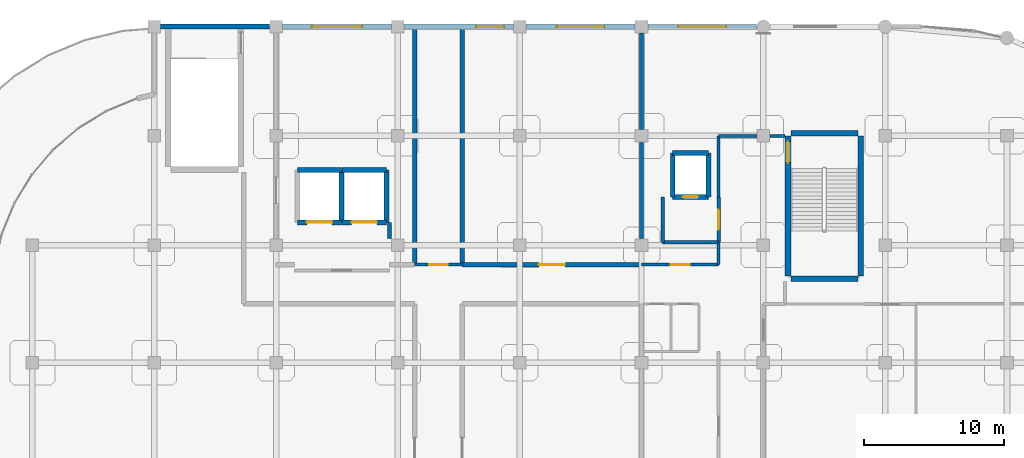
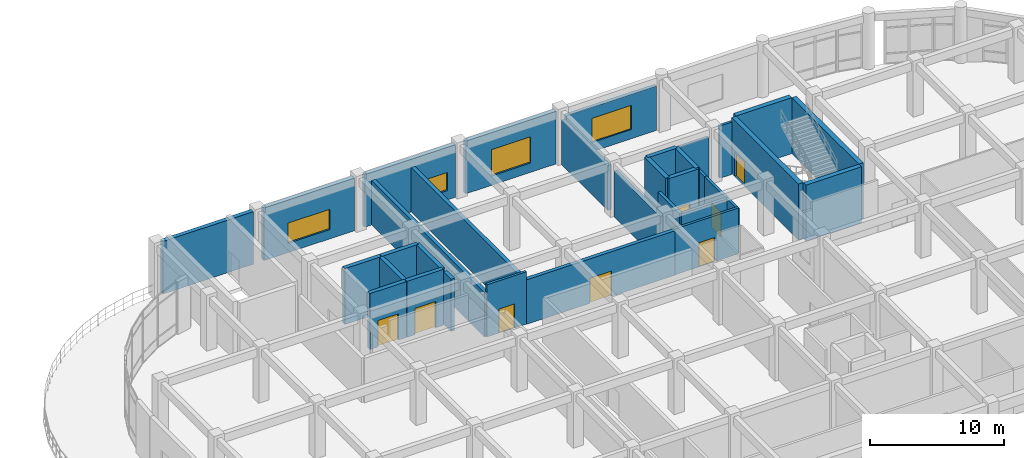
# One storey, part 105 of 120: 34 walls, 8 doors, 4 windows, 12 openings.
"""IFC4 building model written with IfcOpenShell, lengths in metres."""

from ifc_helpers import new_model, si_unit, derived_unit, direction, frame, frame_2d, origin, place, context, subcontext, project, spatial, rectangle, extrude, material, layer, layer_set, type_object, element, fill, save


model = new_model("IFC4")

# Units and contexts
model_context = context("Model", 3, precision=1e-05, world=origin(), true_north=direction((0.0, 1.0)))
body_context = subcontext(model_context, "Body", "Model", "MODEL_VIEW")
ifc_project = project(units=[si_unit("LENGTHUNIT", "METRE"), si_unit("AREAUNIT", "SQUARE_METRE"), si_unit("VOLUMEUNIT", "CUBIC_METRE"), si_unit("PLANEANGLEUNIT", "RADIAN"), si_unit("MASSUNIT", "GRAM", prefix="KILO"), derived_unit("THERMALTRANSMITTANCEUNIT", [(si_unit("MASSUNIT", "GRAM", prefix="KILO"), 1), (si_unit("TIMEUNIT", "SECOND"), -3), (si_unit("THERMODYNAMICTEMPERATUREUNIT", "KELVIN"), -1)])], contexts=[model_context])

# Site, building, storey
site_placement = place(None, origin())
site = spatial("IfcSite", under=ifc_project, at=site_placement, CompositionType="ELEMENT")
building_placement = place(site_placement, origin())
building = spatial("IfcBuilding", under=site, at=building_placement, Name="Qinzheling Arcade Emporium", CompositionType="ELEMENT")
storey_placement = place(building_placement, frame((0.0, 0.0, 11.39990234375)))
storey = spatial("IfcBuildingStorey", under=building, at=storey_placement, Name="L03", CompositionType="ELEMENT", Elevation=11.39990234375)

# Wall, opening, door
ifc_material_1 = material(Name="Double-stud acoustic gypsum board partition")
ifc_layer_1 = layer(ifc_material_1, 0.215087890625, Name="Double-stud acoustic gypsum board partition")
ifc_layer_set_1 = layer_set([ifc_layer_1], Name="Double-stud acoustic gypsum board partition")
wall_type_1 = type_object("IfcWallType", Name="Acoustic Corridor Partition Wall 215", PredefinedType="PARTITIONING", material=ifc_layer_set_1)
wall_1_placement = place(storey_placement, frame((104.39990234375, 97.60009765625, 0.0), z_axis=(0.0, 0.0, 1.0), x_axis=(1.0, 0.0, 0.0)))
wall_1 = element("IfcWall", 1, at=wall_1_placement, inside=storey, type_object=wall_type_1, Name="Interior Wall WL-L03-INT-0537", PredefinedType="PARTITIONING", context=body_context, shape_type="SweptSolid", body=[
    extrude(rectangle(XDim=5.5, YDim=0.215087890625, at=frame_2d((2.75, 0.0))), origin(), (0.0, 0.0, 1.0), 4.175048828125),
])
opening_1_placement = place(wall_1_placement, frame((2.074951171875, 0.0, 0.0)))
opening_1 = element("IfcOpeningElement", 2, at=opening_1_placement, cuts=wall_1, Name="Opening FD05", PredefinedType="OPENING", context=body_context, shape_type="SweptSolid", body=[
    extrude(rectangle(XDim=1.35009765625, YDim=2.199951171875, at=frame_2d((0.675048828125, 1.10009765625))), frame((0.0, 0.11767578125, 0.0), z_axis=(0.0, -1.0, 0.0), x_axis=(1.0, 0.0, 0.0)), (0.0, 0.0, 1.0), 0.235107421875),
])
ifc_material_2 = material(Name="Class B fire-rated stainless-clad door")
door_type_1 = type_object("IfcDoorType", Name="Kitchen Fire-Rated Service Door 1350x2200", OperationType="NOTDEFINED", PredefinedType="DOOR", material=ifc_material_2)
door_1_placement = place(opening_1_placement, origin())
door_1 = element("IfcDoor", 3, at=door_1_placement, inside=storey, type_object=door_type_1, Name="FD05 Interior Door DR-L03-INT-0159", OperationType="SINGLE_SWING_LEFT", OverallHeight=2.199951171875, OverallWidth=1.35009765625, PredefinedType="DOOR", context=body_context, shape_type="SweptSolid", body=[
    extrude(rectangle(XDim=1.35009765625, YDim=2.199951171875, at=frame_2d((0.675048828125, 1.10009765625))), frame((0.0, 0.02490234375, 0.0), z_axis=(0.0, -1.0, 0.0), x_axis=(1.0, 0.0, 0.0)), (0.0, 0.0, 1.0), 0.050048828125),
])
fill(opening_1, door_1)

# Walls
wall_2_placement = place(storey_placement, frame((109.89990234375, 97.60009765625, 0.0), z_axis=(0.0, 0.0, 1.0), x_axis=(0.0, 1.0, 0.0)))
element("IfcWall", 4, at=wall_2_placement, inside=storey, type_object=wall_type_1, Name="Interior Wall WL-L03-INT-0538", PredefinedType="PARTITIONING", context=body_context, shape_type="SweptSolid", body=[
    extrude(rectangle(XDim=1.599853515625, YDim=0.215087890625, at=frame_2d((0.7998046875, 0.0))), origin(), (0.0, 0.0, 1.0), 4.0751953125),
])
wall_3_placement = place(storey_placement, frame((109.89990234375, 102.419921875, 0.0), z_axis=(0.0, 0.0, 1.0), x_axis=(0.0, 1.0, 0.0)))
element("IfcWall", 5, at=wall_3_placement, inside=storey, type_object=wall_type_1, Name="Interior Wall WL-L03-INT-0539", PredefinedType="PARTITIONING", context=body_context, shape_type="SweptSolid", body=[
    extrude(rectangle(XDim=4.380126953125, YDim=0.215087890625, at=frame_2d((2.18994140625, 0.0))), origin(), (0.0, 0.0, 1.0), 4.0751953125),
])
wall_4_placement = place(storey_placement, frame((109.89990234375, 106.800048828125, 0.0), z_axis=(0.0, 0.0, 1.0), x_axis=(1.0, 0.0, 0.0)))
element("IfcWall", 6, at=wall_4_placement, inside=storey, type_object=wall_type_1, Name="Interior Wall WL-L03-INT-0540", PredefinedType="PARTITIONING", context=body_context, shape_type="SweptSolid", body=[
    extrude(rectangle(XDim=2.739990234375, YDim=0.215087890625, at=frame_2d((1.3701171875, 0.0))), origin(), (0.0, 0.0, 1.0), 4.0751953125),
])
wall_5_placement = place(storey_placement, frame((113.56005859375, 106.800048828125, 0.0), z_axis=(0.0, 0.0, 1.0), x_axis=(1.0, 0.0, 0.0)))
element("IfcWall", 7, at=wall_5_placement, inside=storey, type_object=wall_type_1, Name="Interior Wall WL-L03-INT-0541", PredefinedType="PARTITIONING", context=body_context, shape_type="SweptSolid", body=[
    extrude(rectangle(XDim=1.08984375, YDim=0.215087890625, at=frame_2d((0.544921875, 0.0))), origin(), (0.0, 0.0, 1.0), 4.760009765625),
])

# Wall, opening, door
wall_6_placement = place(storey_placement, frame((88.199951171875, 97.60009765625, 0.0), z_axis=(0.0, 0.0, 1.0), x_axis=(1.0, 0.0, 0.0)))
wall_6 = element("IfcWall", 8, at=wall_6_placement, inside=storey, type_object=wall_type_1, Name="Interior Wall WL-L03-INT-0544", PredefinedType="PARTITIONING", context=body_context, shape_type="SweptSolid", body=[
    extrude(rectangle(XDim=3.400146484375, YDim=0.215087890625, at=frame_2d((1.7001953125, 0.0))), origin(), (0.0, 0.0, 1.0), 4.760009765625),
])
opening_2_placement = place(wall_6_placement, frame((1.02490234375, 0.0, 0.0)))
opening_2 = element("IfcOpeningElement", 9, at=opening_2_placement, cuts=wall_6, Name="Opening FD05", PredefinedType="OPENING", context=body_context, shape_type="SweptSolid", body=[
    extrude(rectangle(XDim=1.35009765625, YDim=2.199951171875, at=frame_2d((0.675048828125, 1.10009765625))), frame((0.0, 0.11767578125, 0.0), z_axis=(0.0, -1.0, 0.0), x_axis=(1.0, 0.0, 0.0)), (0.0, 0.0, 1.0), 0.235107421875),
])
door_2_placement = place(opening_2_placement, origin())
door_2 = element("IfcDoor", 10, at=door_2_placement, inside=storey, type_object=door_type_1, Name="FD05 Interior Door DR-L03-INT-0161", OperationType="SINGLE_SWING_LEFT", OverallHeight=2.199951171875, OverallWidth=1.35009765625, PredefinedType="DOOR", context=body_context, shape_type="SweptSolid", body=[
    extrude(rectangle(XDim=1.35009765625, YDim=2.199951171875, at=frame_2d((0.675048828125, 1.10009765625))), frame((0.0, 0.02490234375, 0.0), z_axis=(0.0, -1.0, 0.0), x_axis=(1.0, 0.0, 0.0)), (0.0, 0.0, 1.0), 0.050048828125),
])
fill(opening_2, door_2)

ifc_material_3 = material(Name="Fire-rated double-stud gypsum and mineral wool wall")
ifc_layer_2 = layer(ifc_material_3, 0.2451171875, Name="Fire-rated double-stud gypsum and mineral wool wall")
ifc_layer_set_2 = layer_set([ifc_layer_2], Name="Fire-rated double-stud gypsum and mineral wool wall")
wall_type_2 = type_object("IfcWallType", Name="Firefighting Lobby Rated Wall 245", PredefinedType="STANDARD", material=ifc_layer_set_2)
wall_7_placement = place(storey_placement, frame((109.89990234375, 102.419921875, 0.0), z_axis=(0.0, 0.0, 1.0), x_axis=(0.0, -1.0, 0.0)))
wall_7 = element("IfcWall", 11, at=wall_7_placement, inside=storey, type_object=wall_type_2, Name="Interior Wall WL-L03-INT-0437", PredefinedType="STANDARD", context=body_context, shape_type="SweptSolid", body=[
    extrude(rectangle(XDim=3.219970703125, YDim=0.2451171875, at=frame_2d((1.60986328125, 0.0))), origin(), (0.0, 0.0, 1.0), 4.0751953125),
])
opening_3_placement = place(wall_7_placement, frame((0.885009765625, 0.0, 0.0)))
opening_3 = element("IfcOpeningElement", 12, at=opening_3_placement, cuts=wall_7, Name="Opening FD02", PredefinedType="OPENING", context=body_context, shape_type="SweptSolid", body=[
    extrude(rectangle(XDim=1.449951171875, YDim=2.199951171875, at=frame_2d((0.72509765625, 1.10009765625))), frame((0.0, 0.132568359375, 0.0), z_axis=(0.0, -1.0, 0.0), x_axis=(1.0, 0.0, 0.0)), (0.0, 0.0, 1.0), 0.26513671875),
])
ifc_material_4 = material(Name="Class A fire-rated steel double door", Category="steel")
door_type_2 = type_object("IfcDoorType", Name="Firefighting Lobby Fire Door 1450x2200", OperationType="DOUBLE_DOOR_SINGLE_SWING", PredefinedType="DOOR", material=ifc_material_4)
door_3_placement = place(opening_3_placement, origin())
door_3 = element("IfcDoor", 13, at=door_3_placement, inside=storey, type_object=door_type_2, Name="FD02 Interior Door DR-L03-INT-0120", OperationType="DOUBLE_DOOR_SINGLE_SWING", OverallHeight=2.199951171875, OverallWidth=1.449951171875, PredefinedType="DOOR", context=body_context, shape_type="SweptSolid", body=[
    extrude(rectangle(XDim=1.449951171875, YDim=2.199951171875, at=frame_2d((0.72509765625, 1.10009765625))), frame((0.0, 0.02490234375, 0.0), z_axis=(0.0, -1.0, 0.0), x_axis=(1.0, 0.0, 0.0)), (0.0, 0.0, 1.0), 0.050048828125),
])
fill(opening_3, door_3)

# Walls
wall_8_placement = place(storey_placement, frame((109.89990234375, 99.199951171875, 0.0), z_axis=(0.0, 0.0, 1.0), x_axis=(-1.0, 0.0, 0.0)))
element("IfcWall", 14, at=wall_8_placement, inside=storey, type_object=wall_type_2, Name="Interior Wall WL-L03-INT-0438", PredefinedType="STANDARD", context=body_context, shape_type="SweptSolid", body=[
    extrude(rectangle(XDim=4.0, YDim=0.2451171875, at=frame_2d((2.0, 0.0))), origin(), (0.0, 0.0, 1.0), 4.0751953125),
])
wall_9_placement = place(storey_placement, frame((105.89990234375, 99.199951171875, 0.0), z_axis=(0.0, 0.0, 1.0), x_axis=(0.0, 1.0, 0.0)))
element("IfcWall", 15, at=wall_9_placement, inside=storey, type_object=wall_type_2, Name="Interior Wall WL-L03-INT-0439", PredefinedType="STANDARD", context=body_context, shape_type="SweptSolid", body=[
    extrude(rectangle(XDim=3.219970703125, YDim=0.2451171875, at=frame_2d((1.60986328125, 0.0))), origin(), (0.0, 0.0, 1.0), 4.0751953125),
])
ifc_material_5 = material(Name="Fluted granite ashlar on Concrete C40", Category="masonry")
ifc_layer_3 = layer(ifc_material_5, 0.35009765625, Name="Fluted granite ashlar on Concrete C40", Category="masonry")
ifc_layer_set_3 = layer_set([ifc_layer_3], Name="Fluted granite ashlar on Concrete C40")
wall_type_3 = type_object("IfcWallType", Name="Fluted Granite Logistics Wall 350", PredefinedType="STANDARD", material=ifc_layer_set_3)
wall_10_placement = place(storey_placement, frame((70.052001953125, 114.60009765625, 0.0), z_axis=(0.0, 0.0, 1.0), x_axis=(1.0, 0.0, 0.0)))
element("IfcWall", 16, at=wall_10_placement, inside=storey, type_object=wall_type_3, Name="Exterior Wall WL-L03-EW-0184", PredefinedType="STANDARD", context=body_context, shape_type="SweptSolid", body=[
    extrude(rectangle(XDim=7.7958984375, YDim=0.35009765625, at=frame_2d((3.89794921875, 0.0))), origin(), (0.0, 0.0, 1.0), 4.7900390625),
])

# Wall, opening, window
wall_11_placement = place(storey_placement, frame((78.751953125, 114.60009765625, 0.0), z_axis=(0.0, 0.0, 1.0), x_axis=(1.0, 0.0, 0.0)))
wall_11 = element("IfcWall", 17, at=wall_11_placement, inside=storey, type_object=wall_type_3, Name="Exterior Wall WL-L03-EW-0185", PredefinedType="STANDARD", context=body_context, shape_type="SweptSolid", body=[
    extrude(rectangle(XDim=7.796142578125, YDim=0.35009765625, at=frame_2d((3.89794921875, 0.0))), origin(), (0.0, 0.0, 1.0), 4.7900390625),
])
opening_4_placement = place(wall_11_placement, frame((2.097900390625, 0.0, 0.85009765625)))
opening_4 = element("IfcOpeningElement", 18, at=opening_4_placement, cuts=wall_11, Name="Opening WN28", PredefinedType="OPENING", context=body_context, shape_type="SweptSolid", body=[
    extrude(rectangle(XDim=3.60009765625, YDim=1.85009765625, at=frame_2d((1.800048828125, 0.925048828125))), frame((0.0, 0.18505859375, 0.0), z_axis=(0.0, -1.0, 0.0), x_axis=(1.0, 0.0, 0.0)), (0.0, 0.0, 1.0), 0.3701171875),
])
ifc_material_6 = material(Name="Thermally broken aluminium frame with solar-control double glazing", Category="aluminium")
window_type_1 = type_object("IfcWindowType", Name="Chicago Tripartite Window 3600x1850", PartitioningType="TRIPLE_PANEL_VERTICAL", PredefinedType="WINDOW", material=ifc_material_6)
window_1_placement = place(opening_4_placement, origin())
window_1 = element("IfcWindow", 19, at=window_1_placement, inside=storey, type_object=window_type_1, Name="WN28 Window WN-L03-0047", OverallHeight=1.85009765625, OverallWidth=3.60009765625, PartitioningType="TRIPLE_PANEL_VERTICAL", PredefinedType="WINDOW", context=body_context, shape_type="SweptSolid", body=[
    extrude(rectangle(XDim=3.60009765625, YDim=1.85009765625, at=frame_2d((1.800048828125, 0.925048828125))), frame((0.0, 0.030029296875, 0.0), z_axis=(0.0, -1.0, 0.0), x_axis=(1.0, 0.0, 0.0)), (0.0, 0.0, 1.0), 0.06005859375),
])
fill(opening_4, window_1)

wall_12_placement = place(storey_placement, frame((87.451904296875, 114.60009765625, 0.0), z_axis=(0.0, 0.0, 1.0), x_axis=(1.0, 0.0, 0.0)))
wall_12 = element("IfcWall", 20, at=wall_12_placement, inside=storey, type_object=wall_type_3, Name="Exterior Wall WL-L03-EW-0186", PredefinedType="STANDARD", context=body_context, shape_type="SweptSolid", body=[
    extrude(rectangle(XDim=7.796142578125, YDim=0.35009765625, at=frame_2d((3.89794921875, 0.0))), origin(), (0.0, 0.0, 1.0), 4.7900390625),
])
opening_5_placement = place(wall_12_placement, frame((5.14111328125, 0.0, 0.85009765625)))
opening_5 = element("IfcOpeningElement", 21, at=opening_5_placement, cuts=wall_12, Name="Opening WN61", PredefinedType="OPENING", context=body_context, shape_type="SweptSolid", body=[
    extrude(rectangle(XDim=2.0, YDim=1.64990234375, at=frame_2d((1.0, 0.824951171875))), frame((0.0, 0.18505859375, 0.0), z_axis=(0.0, -1.0, 0.0), x_axis=(1.0, 0.0, 0.0)), (0.0, 0.0, 1.0), 0.3701171875),
])
window_type_2 = type_object("IfcWindowType", Name="Chicago Tripartite Window 2000x1650", PartitioningType="TRIPLE_PANEL_VERTICAL", PredefinedType="WINDOW", material=ifc_material_6)
window_2_placement = place(opening_5_placement, origin())
window_2 = element("IfcWindow", 22, at=window_2_placement, inside=storey, type_object=window_type_2, Name="WN61 Window WN-L03-0048", OverallHeight=1.64990234375, OverallWidth=2.0, PartitioningType="TRIPLE_PANEL_VERTICAL", PredefinedType="WINDOW", context=body_context, shape_type="SweptSolid", body=[
    extrude(rectangle(XDim=2.0, YDim=1.64990234375, at=frame_2d((1.0, 0.824951171875))), frame((0.0, 0.030029296875, 0.0), z_axis=(0.0, -1.0, 0.0), x_axis=(1.0, 0.0, 0.0)), (0.0, 0.0, 1.0), 0.06005859375),
])
fill(opening_5, window_2)

wall_13_placement = place(storey_placement, frame((96.152099609375, 114.60009765625, 0.0), z_axis=(0.0, 0.0, 1.0), x_axis=(1.0, 0.0, 0.0)))
wall_13 = element("IfcWall", 23, at=wall_13_placement, inside=storey, type_object=wall_type_3, Name="Exterior Wall WL-L03-EW-0187", PredefinedType="STANDARD", context=body_context, shape_type="SweptSolid", body=[
    extrude(rectangle(XDim=7.7958984375, YDim=0.35009765625, at=frame_2d((3.89794921875, 0.0))), origin(), (0.0, 0.0, 1.0), 4.7900390625),
])
opening_6_placement = place(wall_13_placement, frame((2.197998046875, 0.0, 0.85009765625)))
opening_6 = element("IfcOpeningElement", 24, at=opening_6_placement, cuts=wall_13, Name="Opening WN30", PredefinedType="OPENING", context=body_context, shape_type="SweptSolid", body=[
    extrude(rectangle(XDim=3.39990234375, YDim=2.39990234375, at=frame_2d((1.699951171875, 1.199951171875))), frame((0.0, 0.18505859375, 0.0), z_axis=(0.0, -1.0, 0.0), x_axis=(1.0, 0.0, 0.0)), (0.0, 0.0, 1.0), 0.3701171875),
])
window_type_3 = type_object("IfcWindowType", Name="Chicago Tripartite Window 3400x2400", PartitioningType="TRIPLE_PANEL_VERTICAL", PredefinedType="WINDOW", material=ifc_material_6)
window_3_placement = place(opening_6_placement, origin())
window_3 = element("IfcWindow", 25, at=window_3_placement, inside=storey, type_object=window_type_3, Name="WN30 Window WN-L03-0049", OverallHeight=2.39990234375, OverallWidth=3.39990234375, PartitioningType="TRIPLE_PANEL_VERTICAL", PredefinedType="WINDOW", context=body_context, shape_type="SweptSolid", body=[
    extrude(rectangle(XDim=3.39990234375, YDim=2.39990234375, at=frame_2d((1.699951171875, 1.199951171875))), frame((0.0, 0.030029296875, 0.0), z_axis=(0.0, -1.0, 0.0), x_axis=(1.0, 0.0, 0.0)), (0.0, 0.0, 1.0), 0.06005859375),
])
fill(opening_6, window_3)

ifc_material_7 = material(Name="Buff glazed terracotta insulated wall", Category="masonry")
ifc_layer_4 = layer(ifc_material_7, 0.2900390625, Name="Buff glazed terracotta insulated wall", Category="masonry")
ifc_layer_set_4 = layer_set([ifc_layer_4], Name="Buff glazed terracotta insulated wall")
wall_type_4 = type_object("IfcWallType", Name="Office Bar Terracotta Wall 290", PredefinedType="STANDARD", material=ifc_layer_set_4)
wall_14_placement = place(storey_placement, frame((104.85205078125, 114.60009765625, 0.0), z_axis=(0.0, 0.0, 1.0), x_axis=(1.0, 0.0, 0.0)))
wall_14 = element("IfcWall", 26, at=wall_14_placement, inside=storey, type_object=wall_type_4, Name="Exterior Wall WL-L03-EW-0188", PredefinedType="STANDARD", context=body_context, shape_type="SweptSolid", body=[
    extrude(rectangle(XDim=7.77099609375, YDim=0.2900390625, at=frame_2d((3.885498046875, 0.0))), origin(), (0.0, 0.0, 1.0), 4.05517578125),
])
opening_7_placement = place(wall_14_placement, frame((2.18603515625, 0.0, 0.85009765625)))
opening_7 = element("IfcOpeningElement", 27, at=opening_7_placement, cuts=wall_14, Name="Opening WN31", PredefinedType="OPENING", context=body_context, shape_type="SweptSolid", body=[
    extrude(rectangle(XDim=3.39990234375, YDim=2.199951171875, at=frame_2d((1.699951171875, 1.10009765625))), frame((0.0, 0.155029296875, 0.0), z_axis=(0.0, -1.0, 0.0), x_axis=(1.0, 0.0, 0.0)), (0.0, 0.0, 1.0), 0.31005859375),
])
window_type_4 = type_object("IfcWindowType", Name="Chicago Tripartite Window 3400x2200", PartitioningType="TRIPLE_PANEL_VERTICAL", PredefinedType="WINDOW", material=ifc_material_6)
window_4_placement = place(opening_7_placement, origin())
window_4 = element("IfcWindow", 28, at=window_4_placement, inside=storey, type_object=window_type_4, Name="WN31 Window WN-L03-0050", OverallHeight=2.199951171875, OverallWidth=3.39990234375, PartitioningType="TRIPLE_PANEL_VERTICAL", PredefinedType="WINDOW", context=body_context, shape_type="SweptSolid", body=[
    extrude(rectangle(XDim=3.39990234375, YDim=2.199951171875, at=frame_2d((1.699951171875, 1.10009765625))), frame((0.0, 0.030029296875, 0.0), z_axis=(0.0, -1.0, 0.0), x_axis=(1.0, 0.0, 0.0)), (0.0, 0.0, 1.0), 0.06005859375),
])
fill(opening_7, window_4)

# Wall
ifc_material_8 = material(Name="Concrete C40", Category="concrete")
ifc_layer_5 = layer(ifc_material_8, 0.35009765625, Name="Concrete C40", Category="concrete")
ifc_layer_set_5 = layer_set([ifc_layer_5], Name="Concrete C40")
wall_type_5 = type_object("IfcWallType", Name="RC Lift Shaft Shear Wall 350 C40", PredefinedType="SHEAR", material=ifc_layer_set_5)
wall_15_placement = place(storey_placement, frame((106.625, 105.574951171875, 0.0), z_axis=(0.0, 0.0, 1.0), x_axis=(1.0, 0.0, 0.0)))
element("IfcWall", 29, at=wall_15_placement, inside=storey, type_object=wall_type_5, Name="Lift Shaft Wall WL-L03-LFT-LF03-N", PredefinedType="SHEAR", context=body_context, shape_type="SweptSolid", body=[
    extrude(rectangle(XDim=2.550048828125, YDim=0.35009765625, at=frame_2d((1.27490234375, 0.0))), origin(), (0.0, 0.0, 1.0), 5.10009765625),
])

# Wall, opening, door
wall_16_placement = place(storey_placement, frame((109.175048828125, 102.425048828125, 0.0), z_axis=(0.0, 0.0, 1.0), x_axis=(-1.0, 0.0, 0.0)))
wall_16 = element("IfcWall", 30, at=wall_16_placement, inside=storey, type_object=wall_type_5, Name="Lift Shaft Wall WL-L03-LFT-LF03-S", PredefinedType="SHEAR", context=body_context, shape_type="SweptSolid", body=[
    extrude(rectangle(XDim=2.550048828125, YDim=0.35009765625, at=frame_2d((1.27490234375, 0.0))), origin(), (0.0, 0.0, 1.0), 5.10009765625),
])
opening_8_placement = place(wall_16_placement, frame((0.72509765625, 0.0, 0.0)))
opening_8 = element("IfcOpeningElement", 31, at=opening_8_placement, cuts=wall_16, Name="Opening LD01", PredefinedType="OPENING", context=body_context, shape_type="SweptSolid", body=[
    extrude(rectangle(XDim=1.10009765625, YDim=2.199951171875, at=frame_2d((0.550048828125, 1.10009765625))), frame((0.0, 0.18505859375, 0.0), z_axis=(0.0, -1.0, 0.0), x_axis=(1.0, 0.0, 0.0)), (0.0, 0.0, 1.0), 0.3701171875),
])
ifc_material_9 = material(Name="Fire-rated stainless steel sliding lift door", Category="steel")
door_type_3 = type_object("IfcDoorType", Name="Firefighting Lift Sliding Landing Door 1100x2200", OperationType="DOUBLE_DOOR_SLIDING", PredefinedType="DOOR", material=ifc_material_9)
door_4_placement = place(opening_8_placement, origin())
door_4 = element("IfcDoor", 32, at=door_4_placement, inside=storey, type_object=door_type_3, Name="LD01 Lift Landing Door LF03 L03", OperationType="DOUBLE_DOOR_SLIDING", OverallHeight=2.199951171875, OverallWidth=1.10009765625, PredefinedType="DOOR", context=body_context, shape_type="SweptSolid", body=[
    extrude(rectangle(XDim=1.10009765625, YDim=2.199951171875, at=frame_2d((0.550048828125, 1.10009765625))), frame((0.0, 0.02490234375, 0.0), z_axis=(0.0, -1.0, 0.0), x_axis=(1.0, 0.0, 0.0)), (0.0, 0.0, 1.0), 0.050048828125),
])
fill(opening_8, door_4)

# Walls
for number, where, z_axis, x_axis, name in (
    (33, (106.625, 102.425048828125, 0.0), (0.0, 0.0, 1.0), (0.0, 1.0, 0.0), "Lift Shaft Wall WL-L03-LFT-LF03-W"),
    (34, (109.175048828125, 105.574951171875, 0.0), (0.0, 0.0, 1.0), (0.0, -1.0, 0.0), "Lift Shaft Wall WL-L03-LFT-LF03-E"),
):
    element("IfcWall", number, at=place(storey_placement, frame(where, z_axis=z_axis, x_axis=x_axis)), inside=storey, type_object=wall_type_5, Name=name, PredefinedType="SHEAR", context=body_context, shape_type="SweptSolid", body=[
        extrude(rectangle(XDim=3.14990234375, YDim=0.35009765625, at=frame_2d((1.574951171875, 0.0))), origin(), (0.0, 0.0, 1.0), 5.10009765625),
    ])
wall_17_placement = place(storey_placement, frame((79.824951171875, 104.375, 0.0), z_axis=(0.0, 0.0, 1.0), x_axis=(1.0, 0.0, 0.0)))
element("IfcWall", 35, at=wall_17_placement, inside=storey, type_object=wall_type_5, Name="Lift Shaft Wall WL-L03-LFT-LG01-N", PredefinedType="SHEAR", context=body_context, shape_type="SweptSolid", body=[
    extrude(rectangle(XDim=3.150146484375, YDim=0.35009765625, at=frame_2d((1.5751953125, 0.0))), origin(), (0.0, 0.0, 1.0), 5.10009765625),
])

# Wall, opening, door
wall_18_placement = place(storey_placement, frame((82.97509765625, 100.625, 0.0), z_axis=(0.0, 0.0, 1.0), x_axis=(-1.0, 0.0, 0.0)))
wall_18 = element("IfcWall", 36, at=wall_18_placement, inside=storey, type_object=wall_type_5, Name="Lift Shaft Wall WL-L03-LFT-LG01-S", PredefinedType="SHEAR", context=body_context, shape_type="SweptSolid", body=[
    extrude(rectangle(XDim=3.150146484375, YDim=0.35009765625, at=frame_2d((1.5751953125, 0.0))), origin(), (0.0, 0.0, 1.0), 5.10009765625),
])
opening_9_placement = place(wall_18_placement, frame((0.675048828125, 0.0, 0.0)))
opening_9 = element("IfcOpeningElement", 37, at=opening_9_placement, cuts=wall_18, Name="Opening LD03", PredefinedType="OPENING", context=body_context, shape_type="SweptSolid", body=[
    extrude(rectangle(XDim=1.800048828125, YDim=2.39990234375, at=frame_2d((0.89990234375, 1.199951171875))), frame((0.0, 0.18505859375, 0.0), z_axis=(0.0, -1.0, 0.0), x_axis=(1.0, 0.0, 0.0)), (0.0, 0.0, 1.0), 0.3701171875),
])
ifc_material_10 = material(Name="Heavy-duty galvanised steel sliding freight lift door", Category="steel")
door_type_4 = type_object("IfcDoorType", Name="Goods Lift Bi-Parting Landing Door 1800x2400", OperationType="DOUBLE_DOOR_SLIDING", PredefinedType="DOOR", material=ifc_material_10)
door_5_placement = place(opening_9_placement, origin())
door_5 = element("IfcDoor", 38, at=door_5_placement, inside=storey, type_object=door_type_4, Name="LD03 Lift Landing Door LG01 L03", OperationType="DOUBLE_DOOR_SLIDING", OverallHeight=2.39990234375, OverallWidth=1.800048828125, PredefinedType="DOOR", context=body_context, shape_type="SweptSolid", body=[
    extrude(rectangle(XDim=1.800048828125, YDim=2.39990234375, at=frame_2d((0.89990234375, 1.199951171875))), frame((0.0, 0.02490234375, 0.0), z_axis=(0.0, -1.0, 0.0), x_axis=(1.0, 0.0, 0.0)), (0.0, 0.0, 1.0), 0.050048828125),
])
fill(opening_9, door_5)

# Walls
wall_19_placement = place(storey_placement, frame((82.97509765625, 104.375, 0.0), z_axis=(0.0, 0.0, 1.0), x_axis=(0.0, -1.0, 0.0)))
element("IfcWall", 39, at=wall_19_placement, inside=storey, type_object=wall_type_5, Name="Lift Shaft Wall WL-L03-LFT-LG01-E", PredefinedType="SHEAR", context=body_context, shape_type="SweptSolid", body=[
    extrude(rectangle(XDim=3.75, YDim=0.35009765625, at=frame_2d((1.875, 0.0))), origin(), (0.0, 0.0, 1.0), 5.10009765625),
])
wall_20_placement = place(storey_placement, frame((83.02490234375, 104.375, 0.0), z_axis=(0.0, 0.0, 1.0), x_axis=(1.0, 0.0, 0.0)))
element("IfcWall", 40, at=wall_20_placement, inside=storey, type_object=wall_type_5, Name="Lift Shaft Wall WL-L03-LFT-LG02-N", PredefinedType="SHEAR", context=body_context, shape_type="SweptSolid", body=[
    extrude(rectangle(XDim=3.150146484375, YDim=0.35009765625, at=frame_2d((1.5751953125, 0.0))), origin(), (0.0, 0.0, 1.0), 5.10009765625),
])

# Wall, opening, door
wall_21_placement = place(storey_placement, frame((86.175048828125, 100.625, 0.0), z_axis=(0.0, 0.0, 1.0), x_axis=(-1.0, 0.0, 0.0)))
wall_21 = element("IfcWall", 41, at=wall_21_placement, inside=storey, type_object=wall_type_5, Name="Lift Shaft Wall WL-L03-LFT-LG02-S", PredefinedType="SHEAR", context=body_context, shape_type="SweptSolid", body=[
    extrude(rectangle(XDim=3.150146484375, YDim=0.35009765625, at=frame_2d((1.5751953125, 0.0))), origin(), (0.0, 0.0, 1.0), 5.10009765625),
])
opening_10_placement = place(wall_21_placement, frame((0.675048828125, 0.0, 0.0)))
opening_10 = element("IfcOpeningElement", 42, at=opening_10_placement, cuts=wall_21, Name="Opening LD03", PredefinedType="OPENING", context=body_context, shape_type="SweptSolid", body=[
    extrude(rectangle(XDim=1.800048828125, YDim=2.39990234375, at=frame_2d((0.89990234375, 1.199951171875))), frame((0.0, 0.18505859375, 0.0), z_axis=(0.0, -1.0, 0.0), x_axis=(1.0, 0.0, 0.0)), (0.0, 0.0, 1.0), 0.3701171875),
])
door_6_placement = place(opening_10_placement, origin())
door_6 = element("IfcDoor", 43, at=door_6_placement, inside=storey, type_object=door_type_4, Name="LD03 Lift Landing Door LG02 L03", OperationType="DOUBLE_DOOR_SLIDING", OverallHeight=2.39990234375, OverallWidth=1.800048828125, PredefinedType="DOOR", context=body_context, shape_type="SweptSolid", body=[
    extrude(rectangle(XDim=1.800048828125, YDim=2.39990234375, at=frame_2d((0.89990234375, 1.199951171875))), frame((0.0, 0.02490234375, 0.0), z_axis=(0.0, -1.0, 0.0), x_axis=(1.0, 0.0, 0.0)), (0.0, 0.0, 1.0), 0.050048828125),
])
fill(opening_10, door_6)

# Wall
wall_22_placement = place(storey_placement, frame((86.175048828125, 104.375, 0.0), z_axis=(0.0, 0.0, 1.0), x_axis=(0.0, -1.0, 0.0)))
element("IfcWall", 44, at=wall_22_placement, inside=storey, type_object=wall_type_5, Name="Lift Shaft Wall WL-L03-LFT-LG02-E", PredefinedType="SHEAR", context=body_context, shape_type="SweptSolid", body=[
    extrude(rectangle(XDim=3.75, YDim=0.35009765625, at=frame_2d((1.875, 0.0))), origin(), (0.0, 0.0, 1.0), 5.10009765625),
])

# Wall, opening, door
ifc_material_11 = material(Name="Concrete C50", Category="concrete")
ifc_layer_6 = layer(ifc_material_11, 0.39990234375, Name="Concrete C50", Category="concrete")
ifc_layer_set_6 = layer_set([ifc_layer_6], Name="Concrete C50")
wall_type_6 = type_object("IfcWallType", Name="RC Stair Core Shear Wall 400 C50", PredefinedType="SHEAR", material=ifc_layer_set_6)
wall_23_placement = place(storey_placement, frame((114.85498046875, 96.800048828125, 0.0), z_axis=(0.0, 0.0, 1.0), x_axis=(0.0, 1.0, 0.0)))
wall_23 = element("IfcWall", 45, at=wall_23_placement, inside=storey, type_object=wall_type_6, Name="Stair Core Wall WL-L03-ST08-WEST", PredefinedType="SHEAR", context=body_context, shape_type="SweptSolid", body=[
    extrude(rectangle(XDim=10.0, YDim=0.39990234375, at=frame_2d((5.0, 0.0))), origin(), (0.0, 0.0, 1.0), 5.10009765625),
])
opening_11_placement = place(wall_23_placement, frame((8.090087890625, 0.0, 0.0)))
opening_11 = element("IfcOpeningElement", 46, at=opening_11_placement, cuts=wall_23, Name="Opening FD01", PredefinedType="OPENING", context=body_context, shape_type="SweptSolid", body=[
    extrude(rectangle(XDim=1.5, YDim=2.199951171875, at=frame_2d((0.75, 1.10009765625))), frame((0.0, 0.2099609375, 0.0), z_axis=(0.0, -1.0, 0.0), x_axis=(1.0, 0.0, 0.0)), (0.0, 0.0, 1.0), 0.419921875),
])
door_type_5 = type_object("IfcDoorType", Name="Stairwell Smoke-Proof Fire Door 1500x2200", OperationType="DOUBLE_DOOR_SINGLE_SWING", PredefinedType="DOOR", material=ifc_material_4)
door_7_placement = place(opening_11_placement, origin())
door_7 = element("IfcDoor", 47, at=door_7_placement, inside=storey, type_object=door_type_5, Name="FD01 Stairwell Fire Door DR-L03-ST08-FD", OperationType="DOUBLE_DOOR_SINGLE_SWING", OverallHeight=2.199951171875, OverallWidth=1.5, PredefinedType="DOOR", context=body_context, shape_type="SweptSolid", body=[
    extrude(rectangle(XDim=1.5, YDim=2.199951171875, at=frame_2d((0.75, 1.10009765625))), frame((0.0, 0.02490234375, 0.0), z_axis=(0.0, -1.0, 0.0), x_axis=(1.0, 0.0, 0.0)), (0.0, 0.0, 1.0), 0.050048828125),
])
fill(opening_11, door_7)

# Walls
wall_24_placement = place(storey_placement, frame((120.044921875, 106.800048828125, 0.0), z_axis=(0.0, 0.0, 1.0), x_axis=(0.0, -1.0, 0.0)))
element("IfcWall", 48, at=wall_24_placement, inside=storey, type_object=wall_type_6, Name="Stair Core Wall WL-L03-ST08-EAST", PredefinedType="SHEAR", context=body_context, shape_type="SweptSolid", body=[
    extrude(rectangle(XDim=10.0, YDim=0.39990234375, at=frame_2d((5.0, 0.0))), origin(), (0.0, 0.0, 1.0), 5.10009765625),
])
for number, where, z_axis, x_axis, name in (
    (49, (119.844970703125, 96.60009765625, 0.0), (0.0, 0.0, 1.0), (-1.0, 0.0, 0.0), "Stair Core Wall WL-L03-ST08-SOUTH"),
    (50, (115.054931640625, 107.0, 0.0), (0.0, 0.0, 1.0), (1.0, 0.0, 0.0), "Stair Core Wall WL-L03-ST08-NORTH"),
):
    element("IfcWall", number, at=place(storey_placement, frame(where, z_axis=z_axis, x_axis=x_axis)), inside=storey, type_object=wall_type_6, Name=name, PredefinedType="SHEAR", context=body_context, shape_type="SweptSolid", body=[
        extrude(rectangle(XDim=4.7900390625, YDim=0.39990234375, at=frame_2d((2.39501953125, 0.0))), origin(), (0.0, 0.0, 1.0), 5.10009765625),
    ])
ifc_material_12 = material(Name="Autoclaved aerated concrete masonry with fire plaster", Category="masonry")
ifc_layer_7 = layer(ifc_material_12, 0.31005859375, Name="Autoclaved aerated concrete masonry with fire plaster", Category="masonry")
ifc_layer_set_7 = layer_set([ifc_layer_7], Name="Autoclaved aerated concrete masonry with fire plaster")
wall_type_7 = type_object("IfcWallType", Name="Retail Compartment Fire Wall 310 C40", PredefinedType="STANDARD", material=ifc_layer_set_7)
wall_25_placement = place(storey_placement, frame((86.39990234375, 100.6201171875, 0.0), z_axis=(0.0, 0.0, 1.0), x_axis=(0.0, -1.0, 0.0)))
element("IfcWall", 51, at=wall_25_placement, inside=storey, type_object=wall_type_7, Name="Interior Wall WL-L03-INT-0450", PredefinedType="STANDARD", context=body_context, shape_type="SweptSolid", body=[
    extrude(rectangle(XDim=1.16015625, YDim=0.31005859375, at=frame_2d((0.580078125, 0.0))), origin(), (0.0, 0.0, 1.0), 4.760009765625),
])

# Wall, opening, door
wall_26_placement = place(storey_placement, frame((91.60009765625, 97.60009765625, 0.0), z_axis=(0.0, 0.0, 1.0), x_axis=(1.0, 0.0, 0.0)))
wall_26 = element("IfcWall", 52, at=wall_26_placement, inside=storey, type_object=wall_type_7, Name="Interior Wall WL-L03-INT-0530", PredefinedType="STANDARD", context=body_context, shape_type="SweptSolid", body=[
    extrude(rectangle(XDim=12.7998046875, YDim=0.31005859375, at=frame_2d((6.39990234375, 0.0))), origin(), (0.0, 0.0, 1.0), 4.06005859375),
])
opening_12_placement = place(wall_26_placement, frame((5.47509765625, 0.0, 0.0)))
opening_12 = element("IfcOpeningElement", 53, at=opening_12_placement, cuts=wall_26, Name="Opening FD03", PredefinedType="OPENING", context=body_context, shape_type="SweptSolid", body=[
    extrude(rectangle(XDim=1.85009765625, YDim=2.300048828125, at=frame_2d((0.925048828125, 1.14990234375))), frame((0.0, 0.1650390625, 0.0), z_axis=(0.0, -1.0, 0.0), x_axis=(1.0, 0.0, 0.0)), (0.0, 0.0, 1.0), 0.330078125),
])
door_type_6 = type_object("IfcDoorType", Name="Stockroom Double Fire Door 1850x2300", OperationType="DOUBLE_DOOR_SINGLE_SWING", PredefinedType="DOOR", material=ifc_material_4)
door_8_placement = place(opening_12_placement, origin())
door_8 = element("IfcDoor", 54, at=door_8_placement, inside=storey, type_object=door_type_6, Name="FD03 Interior Door DR-L03-INT-0155", OperationType="DOUBLE_DOOR_SINGLE_SWING", OverallHeight=2.300048828125, OverallWidth=1.85009765625, PredefinedType="DOOR", context=body_context, shape_type="SweptSolid", body=[
    extrude(rectangle(XDim=1.85009765625, YDim=2.300048828125, at=frame_2d((0.925048828125, 1.14990234375))), frame((0.0, 0.02490234375, 0.0), z_axis=(0.0, -1.0, 0.0), x_axis=(1.0, 0.0, 0.0)), (0.0, 0.0, 1.0), 0.050048828125),
])
fill(opening_12, door_8)

# Walls
wall_27_placement = place(storey_placement, frame((88.199951171875, 114.419921875, 0.0), z_axis=(0.0, 0.0, 1.0), x_axis=(0.0, -1.0, 0.0)))
element("IfcWall", 55, at=wall_27_placement, inside=storey, type_object=wall_type_7, Name="Interior Wall WL-L03-INT-0575", PredefinedType="STANDARD", context=body_context, shape_type="SweptSolid", body=[
    extrude(rectangle(XDim=16.81982421875, YDim=0.31005859375, at=frame_2d((8.409912109375, 0.0))), origin(), (0.0, 0.0, 1.0), 4.06005859375),
])
wall_28_placement = place(storey_placement, frame((104.39990234375, 114.139892578125, 0.0), z_axis=(0.0, 0.0, 1.0), x_axis=(0.0, -1.0, 0.0)))
element("IfcWall", 56, at=wall_28_placement, inside=storey, type_object=wall_type_7, Name="Interior Wall WL-L03-INT-0579", PredefinedType="STANDARD", context=body_context, shape_type="SweptSolid", body=[
    extrude(rectangle(XDim=6.8798828125, YDim=0.31005859375, at=frame_2d((3.43994140625, 0.0))), origin(), (0.0, 0.0, 1.0), 4.0751953125),
])
wall_29_placement = place(storey_placement, frame((104.39990234375, 106.340087890625, 0.0), z_axis=(0.0, 0.0, 1.0), x_axis=(0.0, -1.0, 0.0)))
element("IfcWall", 57, at=wall_29_placement, inside=storey, type_object=wall_type_7, Name="Interior Wall WL-L03-INT-0580", PredefinedType="STANDARD", context=body_context, shape_type="SweptSolid", body=[
    extrude(rectangle(XDim=6.880126953125, YDim=0.31005859375, at=frame_2d((3.43994140625, 0.0))), origin(), (0.0, 0.0, 1.0), 4.175048828125),
])
wall_30_placement = place(storey_placement, frame((91.60009765625, 97.60009765625, 0.0), z_axis=(0.0, 0.0, 1.0), x_axis=(0.0, 1.0, 0.0)))
element("IfcWall", 58, at=wall_30_placement, inside=storey, type_object=wall_type_7, Name="Interior Wall WL-L03-INT-0581", PredefinedType="STANDARD", context=body_context, shape_type="SweptSolid", body=[
    extrude(rectangle(XDim=16.81982421875, YDim=0.31005859375, at=frame_2d((8.409912109375, 0.0))), origin(), (0.0, 0.0, 1.0), 4.06005859375),
])

save(model, "model.ifc")
